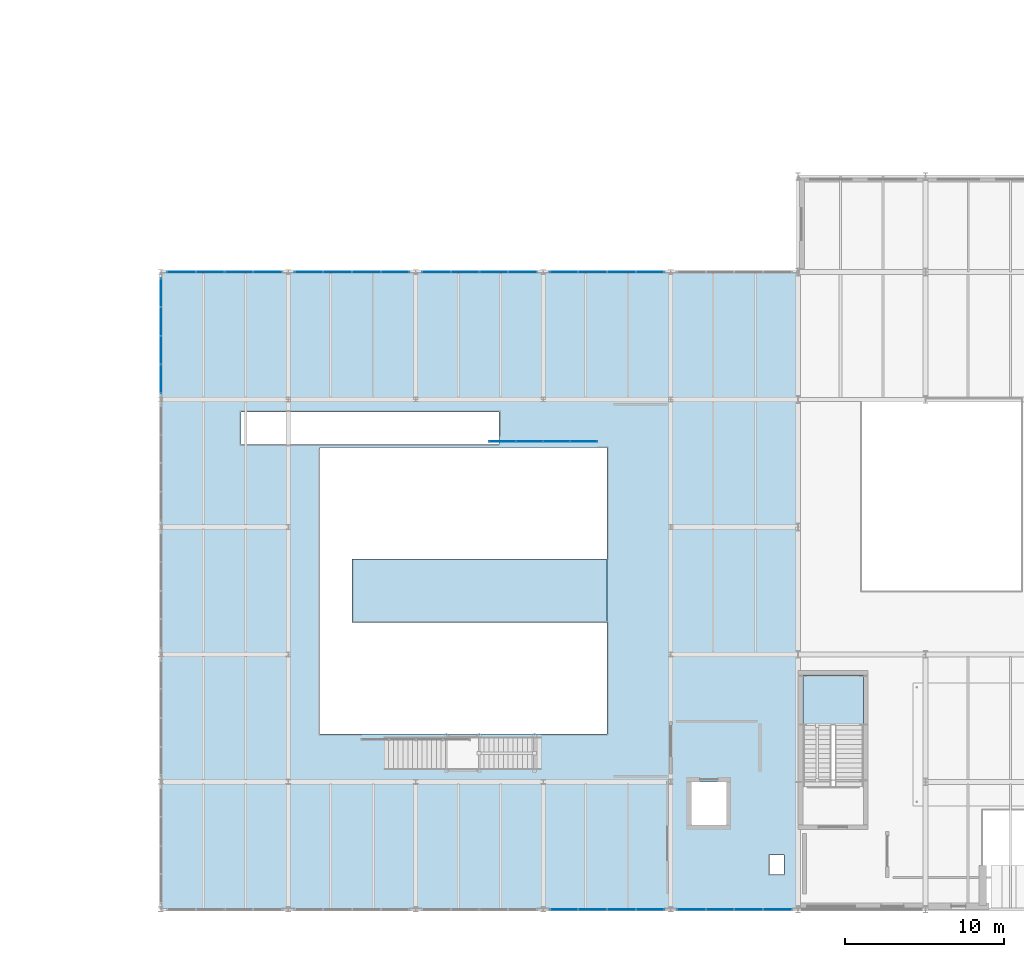
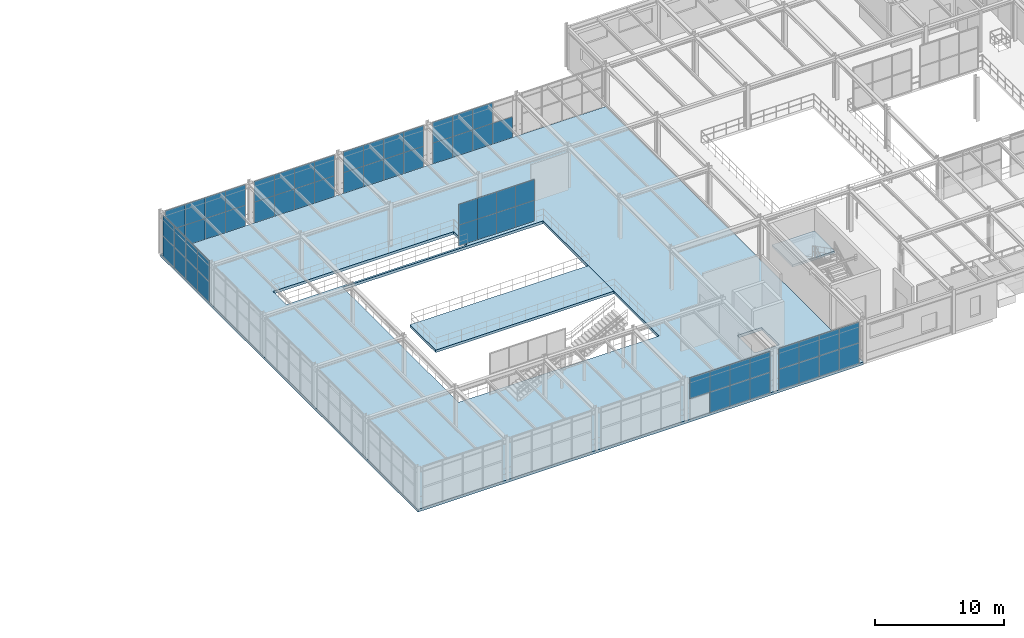
# One storey, part 70 of 124: 62 plates, 3 slabs, 9 elements without a shape of their own.
"""IFC4 building model written with IfcOpenShell, lengths in metres."""

from ifc_helpers import new_model, si_unit, direction, frame, origin, origin_2d, place, context, subcontext, project, spatial, polyline, rectangle, outline, extrude, material, layer, layer_set, type_object, element, aggregate, save


model = new_model("IFC4")

# Units and contexts
model_context = context("Model", 3, precision=1e-05, world=origin(), true_north=direction((0.0, 1.0)))
body_context = subcontext(model_context, "Body", "Model", "MODEL_VIEW")
ifc_project = project(units=[si_unit("LENGTHUNIT", "METRE"), si_unit("AREAUNIT", "SQUARE_METRE"), si_unit("VOLUMEUNIT", "CUBIC_METRE"), si_unit("PLANEANGLEUNIT", "RADIAN"), si_unit("MASSUNIT", "GRAM", prefix="KILO")], contexts=[model_context])

# Site, building, storey
site_placement = place(None, origin())
site = spatial("IfcSite", under=ifc_project, at=site_placement, CompositionType="ELEMENT")
building_placement = place(site_placement, origin())
building = spatial("IfcBuilding", under=site, at=building_placement, Name="Sundkrona Museum", CompositionType="ELEMENT")
storey_placement = place(building_placement, frame((0.0, 0.0, 17.60009765625)))
storey = spatial("IfcBuildingStorey", under=building, at=storey_placement, Name="L03", CompositionType="ELEMENT", Elevation=17.60009765625)

# Curtain wall, plates
ifc_material_1 = material(Name="Unitised Aluminium-Steel and Ceramic-Clad Curtain Walling", Category="steel")
curtain_wall_type_1 = type_object("IfcCurtainWallType", Name="CW-AT-72x38", PredefinedType="NOTDEFINED", material=ifc_material_1)
curtain_wall_1_placement = place(storey_placement, origin())
curtain_wall_1 = element("IfcCurtainWall", 1, at=curtain_wall_1_placement, inside=storey, type_object=curtain_wall_type_1, Name="L03 Curtain Wall CW-L03-063", PredefinedType="NOTDEFINED")
ifc_material_2 = material(Name="Triple Low-E Vision Glazing 32 mm", Category="glass")
ifc_layer_1 = layer(ifc_material_2, 0.031982421875)
ifc_layer_set_1 = layer_set([ifc_layer_1], Name="Triple Low-E Vision Glazing 32 mm")
plate_type_1 = type_object("IfcPlateType", Name="PN-GL-01", PredefinedType="CURTAIN_PANEL", material=ifc_layer_set_1)
plate_1_placement = place(storey_placement, frame((105.300048828125, 0.0, 1.9697265625), z_axis=(0.0, 0.0, 1.0), x_axis=(1.0, 0.0, 0.0)))
plate_1 = element("IfcPlate", 2, at=plate_1_placement, type_object=plate_type_1, Name="CW-L03-063 Panel 02", PredefinedType="CURTAIN_PANEL", context=body_context, shape_type="SweptSolid", body=[
    extrude(rectangle(XDim=1.800048828125, YDim=0.031982421875, at=origin_2d()), origin(), (0.0, 0.0, 1.0), 1.97412109375),
])
plate_2_placement = place(storey_placement, frame((107.10009765625, 0.0, -0.004150390625), z_axis=(0.0, 0.0, 1.0), x_axis=(1.0, 0.0, 0.0)))
plate_2 = element("IfcPlate", 3, at=plate_2_placement, type_object=plate_type_1, Name="CW-L03-063 Panel 03", PredefinedType="CURTAIN_PANEL", context=body_context, shape_type="SweptSolid", body=[
    extrude(rectangle(XDim=1.800048828125, YDim=0.031982421875, at=origin_2d()), origin(), (0.0, 0.0, 1.0), 1.97412109375),
])
plate_3_placement = place(storey_placement, frame((107.10009765625, 0.0, 1.9697265625), z_axis=(0.0, 0.0, 1.0), x_axis=(1.0, 0.0, 0.0)))
plate_3 = element("IfcPlate", 4, at=plate_3_placement, type_object=plate_type_1, Name="CW-L03-063 Panel 04", PredefinedType="CURTAIN_PANEL", context=body_context, shape_type="SweptSolid", body=[
    extrude(rectangle(XDim=1.800048828125, YDim=0.031982421875, at=origin_2d()), origin(), (0.0, 0.0, 1.0), 1.97412109375),
])
plate_4_placement = place(storey_placement, frame((108.89990234375, 0.0, -0.004150390625), z_axis=(0.0, 0.0, 1.0), x_axis=(1.0, 0.0, 0.0)))
plate_4 = element("IfcPlate", 5, at=plate_4_placement, type_object=plate_type_1, Name="CW-L03-063 Panel 05", PredefinedType="CURTAIN_PANEL", context=body_context, shape_type="SweptSolid", body=[
    extrude(rectangle(XDim=1.800048828125, YDim=0.031982421875, at=origin_2d()), origin(), (0.0, 0.0, 1.0), 1.97412109375),
])
plate_5_placement = place(storey_placement, frame((108.89990234375, 0.0, 1.9697265625), z_axis=(0.0, 0.0, 1.0), x_axis=(1.0, 0.0, 0.0)))
plate_5 = element("IfcPlate", 6, at=plate_5_placement, type_object=plate_type_1, Name="CW-L03-063 Panel 06", PredefinedType="CURTAIN_PANEL", context=body_context, shape_type="SweptSolid", body=[
    extrude(rectangle(XDim=1.800048828125, YDim=0.031982421875, at=origin_2d()), origin(), (0.0, 0.0, 1.0), 1.97412109375),
])
plate_6_placement = place(storey_placement, frame((110.699951171875, 0.0, -0.004150390625), z_axis=(0.0, 0.0, 1.0), x_axis=(1.0, 0.0, 0.0)))
plate_6 = element("IfcPlate", 7, at=plate_6_placement, type_object=plate_type_1, Name="CW-L03-063 Panel 07", PredefinedType="CURTAIN_PANEL", context=body_context, shape_type="SweptSolid", body=[
    extrude(rectangle(XDim=1.800048828125, YDim=0.031982421875, at=origin_2d()), origin(), (0.0, 0.0, 1.0), 1.97412109375),
])
plate_7_placement = place(storey_placement, frame((110.699951171875, 0.0, 1.9697265625), z_axis=(0.0, 0.0, 1.0), x_axis=(1.0, 0.0, 0.0)))
plate_7 = element("IfcPlate", 8, at=plate_7_placement, type_object=plate_type_1, Name="CW-L03-063 Panel 08", PredefinedType="CURTAIN_PANEL", context=body_context, shape_type="SweptSolid", body=[
    extrude(rectangle(XDim=1.800048828125, YDim=0.031982421875, at=origin_2d()), origin(), (0.0, 0.0, 1.0), 1.97412109375),
])
aggregate(curtain_wall_1, [plate_1, plate_2, plate_3, plate_4, plate_5, plate_6, plate_7])

curtain_wall_2_placement = place(storey_placement, origin())
curtain_wall_2 = element("IfcCurtainWall", 9, at=curtain_wall_2_placement, inside=storey, type_object=curtain_wall_type_1, Name="L03 Curtain Wall CW-L03-064", PredefinedType="NOTDEFINED")
plate_8_placement = place(storey_placement, frame((113.300048828125, 0.0, -0.004150390625), z_axis=(0.0, 0.0, 1.0), x_axis=(1.0, 0.0, 0.0)))
plate_8 = element("IfcPlate", 10, at=plate_8_placement, type_object=plate_type_1, Name="CW-L03-064 Panel 01", PredefinedType="CURTAIN_PANEL", context=body_context, shape_type="SweptSolid", body=[
    extrude(rectangle(XDim=1.800048828125, YDim=0.031982421875, at=origin_2d()), origin(), (0.0, 0.0, 1.0), 1.97412109375),
])
plate_9_placement = place(storey_placement, frame((113.300048828125, 0.0, 1.9697265625), z_axis=(0.0, 0.0, 1.0), x_axis=(1.0, 0.0, 0.0)))
plate_9 = element("IfcPlate", 11, at=plate_9_placement, type_object=plate_type_1, Name="CW-L03-064 Panel 02", PredefinedType="CURTAIN_PANEL", context=body_context, shape_type="SweptSolid", body=[
    extrude(rectangle(XDim=1.800048828125, YDim=0.031982421875, at=origin_2d()), origin(), (0.0, 0.0, 1.0), 1.97412109375),
])
plate_10_placement = place(storey_placement, frame((115.10009765625, 0.0, -0.004150390625), z_axis=(0.0, 0.0, 1.0), x_axis=(1.0, 0.0, 0.0)))
plate_10 = element("IfcPlate", 12, at=plate_10_placement, type_object=plate_type_1, Name="CW-L03-064 Panel 03", PredefinedType="CURTAIN_PANEL", context=body_context, shape_type="SweptSolid", body=[
    extrude(rectangle(XDim=1.800048828125, YDim=0.031982421875, at=origin_2d()), origin(), (0.0, 0.0, 1.0), 1.97412109375),
])
plate_11_placement = place(storey_placement, frame((115.10009765625, 0.0, 1.9697265625), z_axis=(0.0, 0.0, 1.0), x_axis=(1.0, 0.0, 0.0)))
plate_11 = element("IfcPlate", 13, at=plate_11_placement, type_object=plate_type_1, Name="CW-L03-064 Panel 04", PredefinedType="CURTAIN_PANEL", context=body_context, shape_type="SweptSolid", body=[
    extrude(rectangle(XDim=1.800048828125, YDim=0.031982421875, at=origin_2d()), origin(), (0.0, 0.0, 1.0), 1.97412109375),
])
plate_12_placement = place(storey_placement, frame((116.89990234375, 0.0, -0.004150390625), z_axis=(0.0, 0.0, 1.0), x_axis=(1.0, 0.0, 0.0)))
plate_12 = element("IfcPlate", 14, at=plate_12_placement, type_object=plate_type_1, Name="CW-L03-064 Panel 05", PredefinedType="CURTAIN_PANEL", context=body_context, shape_type="SweptSolid", body=[
    extrude(rectangle(XDim=1.800048828125, YDim=0.031982421875, at=origin_2d()), origin(), (0.0, 0.0, 1.0), 1.97412109375),
])
plate_13_placement = place(storey_placement, frame((116.89990234375, 0.0, 1.9697265625), z_axis=(0.0, 0.0, 1.0), x_axis=(1.0, 0.0, 0.0)))
plate_13 = element("IfcPlate", 15, at=plate_13_placement, type_object=plate_type_1, Name="CW-L03-064 Panel 06", PredefinedType="CURTAIN_PANEL", context=body_context, shape_type="SweptSolid", body=[
    extrude(rectangle(XDim=1.800048828125, YDim=0.031982421875, at=origin_2d()), origin(), (0.0, 0.0, 1.0), 1.97412109375),
])
plate_14_placement = place(storey_placement, frame((118.699951171875, 0.0, -0.004150390625), z_axis=(0.0, 0.0, 1.0), x_axis=(1.0, 0.0, 0.0)))
plate_14 = element("IfcPlate", 16, at=plate_14_placement, type_object=plate_type_1, Name="CW-L03-064 Panel 07", PredefinedType="CURTAIN_PANEL", context=body_context, shape_type="SweptSolid", body=[
    extrude(rectangle(XDim=1.800048828125, YDim=0.031982421875, at=origin_2d()), origin(), (0.0, 0.0, 1.0), 1.97412109375),
])
plate_15_placement = place(storey_placement, frame((118.699951171875, 0.0, 1.9697265625), z_axis=(0.0, 0.0, 1.0), x_axis=(1.0, 0.0, 0.0)))
plate_15 = element("IfcPlate", 17, at=plate_15_placement, type_object=plate_type_1, Name="CW-L03-064 Panel 08", PredefinedType="CURTAIN_PANEL", context=body_context, shape_type="SweptSolid", body=[
    extrude(rectangle(XDim=1.800048828125, YDim=0.031982421875, at=origin_2d()), origin(), (0.0, 0.0, 1.0), 1.97412109375),
])
aggregate(curtain_wall_2, [plate_8, plate_9, plate_10, plate_11, plate_12, plate_13, plate_14, plate_15])

curtain_wall_3_placement = place(storey_placement, origin())
curtain_wall_3 = element("IfcCurtainWall", 18, at=curtain_wall_3_placement, inside=storey, type_object=curtain_wall_type_1, Name="L03 Curtain Wall CW-L03-069", PredefinedType="NOTDEFINED")
plate_16_placement = place(storey_placement, frame((80.0, 33.300048828125, -0.004150390625), z_axis=(0.0, 0.0, 1.0), x_axis=(0.0, 1.0, 0.0)))
plate_16 = element("IfcPlate", 19, at=plate_16_placement, type_object=plate_type_1, Name="CW-L03-069 Panel 01", PredefinedType="CURTAIN_PANEL", context=body_context, shape_type="SweptSolid", body=[
    extrude(rectangle(XDim=1.800048828125, YDim=0.031982421875, at=origin_2d()), origin(), (0.0, 0.0, 1.0), 1.97412109375),
])
plate_17_placement = place(storey_placement, frame((80.0, 33.300048828125, 1.9697265625), z_axis=(0.0, 0.0, 1.0), x_axis=(0.0, 1.0, 0.0)))
plate_17 = element("IfcPlate", 20, at=plate_17_placement, type_object=plate_type_1, Name="CW-L03-069 Panel 02", PredefinedType="CURTAIN_PANEL", context=body_context, shape_type="SweptSolid", body=[
    extrude(rectangle(XDim=1.800048828125, YDim=0.031982421875, at=origin_2d()), origin(), (0.0, 0.0, 1.0), 1.97412109375),
])
plate_18_placement = place(storey_placement, frame((80.0, 35.10009765625, -0.004150390625), z_axis=(0.0, 0.0, 1.0), x_axis=(0.0, 1.0, 0.0)))
plate_18 = element("IfcPlate", 21, at=plate_18_placement, type_object=plate_type_1, Name="CW-L03-069 Panel 03", PredefinedType="CURTAIN_PANEL", context=body_context, shape_type="SweptSolid", body=[
    extrude(rectangle(XDim=1.800048828125, YDim=0.031982421875, at=origin_2d()), origin(), (0.0, 0.0, 1.0), 1.97412109375),
])
plate_19_placement = place(storey_placement, frame((80.0, 35.10009765625, 1.9697265625), z_axis=(0.0, 0.0, 1.0), x_axis=(0.0, 1.0, 0.0)))
plate_19 = element("IfcPlate", 22, at=plate_19_placement, type_object=plate_type_1, Name="CW-L03-069 Panel 04", PredefinedType="CURTAIN_PANEL", context=body_context, shape_type="SweptSolid", body=[
    extrude(rectangle(XDim=1.800048828125, YDim=0.031982421875, at=origin_2d()), origin(), (0.0, 0.0, 1.0), 1.97412109375),
])
plate_20_placement = place(storey_placement, frame((80.0, 36.89990234375, -0.004150390625), z_axis=(0.0, 0.0, 1.0), x_axis=(0.0, 1.0, 0.0)))
plate_20 = element("IfcPlate", 23, at=plate_20_placement, type_object=plate_type_1, Name="CW-L03-069 Panel 05", PredefinedType="CURTAIN_PANEL", context=body_context, shape_type="SweptSolid", body=[
    extrude(rectangle(XDim=1.800048828125, YDim=0.031982421875, at=origin_2d()), origin(), (0.0, 0.0, 1.0), 1.97412109375),
])
plate_21_placement = place(storey_placement, frame((80.0, 36.89990234375, 1.9697265625), z_axis=(0.0, 0.0, 1.0), x_axis=(0.0, 1.0, 0.0)))
plate_21 = element("IfcPlate", 24, at=plate_21_placement, type_object=plate_type_1, Name="CW-L03-069 Panel 06", PredefinedType="CURTAIN_PANEL", context=body_context, shape_type="SweptSolid", body=[
    extrude(rectangle(XDim=1.800048828125, YDim=0.031982421875, at=origin_2d()), origin(), (0.0, 0.0, 1.0), 1.97412109375),
])
plate_22_placement = place(storey_placement, frame((80.0, 38.699951171875, -0.004150390625), z_axis=(0.0, 0.0, 1.0), x_axis=(0.0, 1.0, 0.0)))
plate_22 = element("IfcPlate", 25, at=plate_22_placement, type_object=plate_type_1, Name="CW-L03-069 Panel 07", PredefinedType="CURTAIN_PANEL", context=body_context, shape_type="SweptSolid", body=[
    extrude(rectangle(XDim=1.800048828125, YDim=0.031982421875, at=origin_2d()), origin(), (0.0, 0.0, 1.0), 1.97412109375),
])
plate_23_placement = place(storey_placement, frame((80.0, 38.699951171875, 1.9697265625), z_axis=(0.0, 0.0, 1.0), x_axis=(0.0, 1.0, 0.0)))
plate_23 = element("IfcPlate", 26, at=plate_23_placement, type_object=plate_type_1, Name="CW-L03-069 Panel 08", PredefinedType="CURTAIN_PANEL", context=body_context, shape_type="SweptSolid", body=[
    extrude(rectangle(XDim=1.800048828125, YDim=0.031982421875, at=origin_2d()), origin(), (0.0, 0.0, 1.0), 1.97412109375),
])
aggregate(curtain_wall_3, [plate_16, plate_17, plate_18, plate_19, plate_20, plate_21, plate_22, plate_23])

curtain_wall_4_placement = place(storey_placement, origin())
curtain_wall_4 = element("IfcCurtainWall", 27, at=curtain_wall_4_placement, inside=storey, type_object=curtain_wall_type_1, Name="L03 Curtain Wall CW-L03-070", PredefinedType="NOTDEFINED")
plate_24_placement = place(storey_placement, frame((81.300048828125, 40.0, -0.004150390625), z_axis=(0.0, 0.0, 1.0), x_axis=(1.0, 0.0, 0.0)))
plate_24 = element("IfcPlate", 28, at=plate_24_placement, type_object=plate_type_1, Name="CW-L03-070 Panel 01", PredefinedType="CURTAIN_PANEL", context=body_context, shape_type="SweptSolid", body=[
    extrude(rectangle(XDim=1.800048828125, YDim=0.031982421875, at=origin_2d()), origin(), (0.0, 0.0, 1.0), 1.97412109375),
])
plate_25_placement = place(storey_placement, frame((81.300048828125, 40.0, 1.9697265625), z_axis=(0.0, 0.0, 1.0), x_axis=(1.0, 0.0, 0.0)))
plate_25 = element("IfcPlate", 29, at=plate_25_placement, type_object=plate_type_1, Name="CW-L03-070 Panel 02", PredefinedType="CURTAIN_PANEL", context=body_context, shape_type="SweptSolid", body=[
    extrude(rectangle(XDim=1.800048828125, YDim=0.031982421875, at=origin_2d()), origin(), (0.0, 0.0, 1.0), 1.97412109375),
])
plate_26_placement = place(storey_placement, frame((83.10009765625, 40.0, -0.004150390625), z_axis=(0.0, 0.0, 1.0), x_axis=(1.0, 0.0, 0.0)))
plate_26 = element("IfcPlate", 30, at=plate_26_placement, type_object=plate_type_1, Name="CW-L03-070 Panel 03", PredefinedType="CURTAIN_PANEL", context=body_context, shape_type="SweptSolid", body=[
    extrude(rectangle(XDim=1.800048828125, YDim=0.031982421875, at=origin_2d()), origin(), (0.0, 0.0, 1.0), 1.97412109375),
])
plate_27_placement = place(storey_placement, frame((83.10009765625, 40.0, 1.9697265625), z_axis=(0.0, 0.0, 1.0), x_axis=(1.0, 0.0, 0.0)))
plate_27 = element("IfcPlate", 31, at=plate_27_placement, type_object=plate_type_1, Name="CW-L03-070 Panel 04", PredefinedType="CURTAIN_PANEL", context=body_context, shape_type="SweptSolid", body=[
    extrude(rectangle(XDim=1.800048828125, YDim=0.031982421875, at=origin_2d()), origin(), (0.0, 0.0, 1.0), 1.97412109375),
])
plate_28_placement = place(storey_placement, frame((84.89990234375, 40.0, -0.004150390625), z_axis=(0.0, 0.0, 1.0), x_axis=(1.0, 0.0, 0.0)))
plate_28 = element("IfcPlate", 32, at=plate_28_placement, type_object=plate_type_1, Name="CW-L03-070 Panel 05", PredefinedType="CURTAIN_PANEL", context=body_context, shape_type="SweptSolid", body=[
    extrude(rectangle(XDim=1.800048828125, YDim=0.031982421875, at=origin_2d()), origin(), (0.0, 0.0, 1.0), 1.97412109375),
])
plate_29_placement = place(storey_placement, frame((84.89990234375, 40.0, 1.9697265625), z_axis=(0.0, 0.0, 1.0), x_axis=(1.0, 0.0, 0.0)))
plate_29 = element("IfcPlate", 33, at=plate_29_placement, type_object=plate_type_1, Name="CW-L03-070 Panel 06", PredefinedType="CURTAIN_PANEL", context=body_context, shape_type="SweptSolid", body=[
    extrude(rectangle(XDim=1.800048828125, YDim=0.031982421875, at=origin_2d()), origin(), (0.0, 0.0, 1.0), 1.97412109375),
])
plate_30_placement = place(storey_placement, frame((86.699951171875, 40.0, -0.004150390625), z_axis=(0.0, 0.0, 1.0), x_axis=(1.0, 0.0, 0.0)))
plate_30 = element("IfcPlate", 34, at=plate_30_placement, type_object=plate_type_1, Name="CW-L03-070 Panel 07", PredefinedType="CURTAIN_PANEL", context=body_context, shape_type="SweptSolid", body=[
    extrude(rectangle(XDim=1.800048828125, YDim=0.031982421875, at=origin_2d()), origin(), (0.0, 0.0, 1.0), 1.97412109375),
])
plate_31_placement = place(storey_placement, frame((86.699951171875, 40.0, 1.9697265625), z_axis=(0.0, 0.0, 1.0), x_axis=(1.0, 0.0, 0.0)))
plate_31 = element("IfcPlate", 35, at=plate_31_placement, type_object=plate_type_1, Name="CW-L03-070 Panel 08", PredefinedType="CURTAIN_PANEL", context=body_context, shape_type="SweptSolid", body=[
    extrude(rectangle(XDim=1.800048828125, YDim=0.031982421875, at=origin_2d()), origin(), (0.0, 0.0, 1.0), 1.97412109375),
])
aggregate(curtain_wall_4, [plate_24, plate_25, plate_26, plate_27, plate_28, plate_29, plate_30, plate_31])

curtain_wall_5_placement = place(storey_placement, origin())
curtain_wall_5 = element("IfcCurtainWall", 36, at=curtain_wall_5_placement, inside=storey, type_object=curtain_wall_type_1, Name="L03 Curtain Wall CW-L03-071", PredefinedType="NOTDEFINED")
plate_32_placement = place(storey_placement, frame((89.300048828125, 40.0, -0.004150390625), z_axis=(0.0, 0.0, 1.0), x_axis=(1.0, 0.0, 0.0)))
plate_32 = element("IfcPlate", 37, at=plate_32_placement, type_object=plate_type_1, Name="CW-L03-071 Panel 01", PredefinedType="CURTAIN_PANEL", context=body_context, shape_type="SweptSolid", body=[
    extrude(rectangle(XDim=1.800048828125, YDim=0.031982421875, at=origin_2d()), origin(), (0.0, 0.0, 1.0), 1.97412109375),
])
plate_33_placement = place(storey_placement, frame((89.300048828125, 40.0, 1.9697265625), z_axis=(0.0, 0.0, 1.0), x_axis=(1.0, 0.0, 0.0)))
plate_33 = element("IfcPlate", 38, at=plate_33_placement, type_object=plate_type_1, Name="CW-L03-071 Panel 02", PredefinedType="CURTAIN_PANEL", context=body_context, shape_type="SweptSolid", body=[
    extrude(rectangle(XDim=1.800048828125, YDim=0.031982421875, at=origin_2d()), origin(), (0.0, 0.0, 1.0), 1.97412109375),
])
plate_34_placement = place(storey_placement, frame((91.10009765625, 40.0, -0.004150390625), z_axis=(0.0, 0.0, 1.0), x_axis=(1.0, 0.0, 0.0)))
plate_34 = element("IfcPlate", 39, at=plate_34_placement, type_object=plate_type_1, Name="CW-L03-071 Panel 03", PredefinedType="CURTAIN_PANEL", context=body_context, shape_type="SweptSolid", body=[
    extrude(rectangle(XDim=1.800048828125, YDim=0.031982421875, at=origin_2d()), origin(), (0.0, 0.0, 1.0), 1.97412109375),
])
plate_35_placement = place(storey_placement, frame((91.10009765625, 40.0, 1.9697265625), z_axis=(0.0, 0.0, 1.0), x_axis=(1.0, 0.0, 0.0)))
plate_35 = element("IfcPlate", 40, at=plate_35_placement, type_object=plate_type_1, Name="CW-L03-071 Panel 04", PredefinedType="CURTAIN_PANEL", context=body_context, shape_type="SweptSolid", body=[
    extrude(rectangle(XDim=1.800048828125, YDim=0.031982421875, at=origin_2d()), origin(), (0.0, 0.0, 1.0), 1.97412109375),
])
plate_36_placement = place(storey_placement, frame((92.89990234375, 40.0, -0.004150390625), z_axis=(0.0, 0.0, 1.0), x_axis=(1.0, 0.0, 0.0)))
plate_36 = element("IfcPlate", 41, at=plate_36_placement, type_object=plate_type_1, Name="CW-L03-071 Panel 05", PredefinedType="CURTAIN_PANEL", context=body_context, shape_type="SweptSolid", body=[
    extrude(rectangle(XDim=1.800048828125, YDim=0.031982421875, at=origin_2d()), origin(), (0.0, 0.0, 1.0), 1.97412109375),
])
plate_37_placement = place(storey_placement, frame((92.89990234375, 40.0, 1.9697265625), z_axis=(0.0, 0.0, 1.0), x_axis=(1.0, 0.0, 0.0)))
plate_37 = element("IfcPlate", 42, at=plate_37_placement, type_object=plate_type_1, Name="CW-L03-071 Panel 06", PredefinedType="CURTAIN_PANEL", context=body_context, shape_type="SweptSolid", body=[
    extrude(rectangle(XDim=1.800048828125, YDim=0.031982421875, at=origin_2d()), origin(), (0.0, 0.0, 1.0), 1.97412109375),
])
plate_38_placement = place(storey_placement, frame((94.699951171875, 40.0, -0.004150390625), z_axis=(0.0, 0.0, 1.0), x_axis=(1.0, 0.0, 0.0)))
plate_38 = element("IfcPlate", 43, at=plate_38_placement, type_object=plate_type_1, Name="CW-L03-071 Panel 07", PredefinedType="CURTAIN_PANEL", context=body_context, shape_type="SweptSolid", body=[
    extrude(rectangle(XDim=1.800048828125, YDim=0.031982421875, at=origin_2d()), origin(), (0.0, 0.0, 1.0), 1.97412109375),
])
plate_39_placement = place(storey_placement, frame((94.699951171875, 40.0, 1.9697265625), z_axis=(0.0, 0.0, 1.0), x_axis=(1.0, 0.0, 0.0)))
plate_39 = element("IfcPlate", 44, at=plate_39_placement, type_object=plate_type_1, Name="CW-L03-071 Panel 08", PredefinedType="CURTAIN_PANEL", context=body_context, shape_type="SweptSolid", body=[
    extrude(rectangle(XDim=1.800048828125, YDim=0.031982421875, at=origin_2d()), origin(), (0.0, 0.0, 1.0), 1.97412109375),
])
aggregate(curtain_wall_5, [plate_32, plate_33, plate_34, plate_35, plate_36, plate_37, plate_38, plate_39])

curtain_wall_6_placement = place(storey_placement, origin())
curtain_wall_6 = element("IfcCurtainWall", 45, at=curtain_wall_6_placement, inside=storey, type_object=curtain_wall_type_1, Name="L03 Curtain Wall CW-L03-072", PredefinedType="NOTDEFINED")
plate_40_placement = place(storey_placement, frame((97.300048828125, 40.0, -0.004150390625), z_axis=(0.0, 0.0, 1.0), x_axis=(1.0, 0.0, 0.0)))
plate_40 = element("IfcPlate", 46, at=plate_40_placement, type_object=plate_type_1, Name="CW-L03-072 Panel 01", PredefinedType="CURTAIN_PANEL", context=body_context, shape_type="SweptSolid", body=[
    extrude(rectangle(XDim=1.800048828125, YDim=0.031982421875, at=origin_2d()), origin(), (0.0, 0.0, 1.0), 1.97412109375),
])
plate_41_placement = place(storey_placement, frame((97.300048828125, 40.0, 1.9697265625), z_axis=(0.0, 0.0, 1.0), x_axis=(1.0, 0.0, 0.0)))
plate_41 = element("IfcPlate", 47, at=plate_41_placement, type_object=plate_type_1, Name="CW-L03-072 Panel 02", PredefinedType="CURTAIN_PANEL", context=body_context, shape_type="SweptSolid", body=[
    extrude(rectangle(XDim=1.800048828125, YDim=0.031982421875, at=origin_2d()), origin(), (0.0, 0.0, 1.0), 1.97412109375),
])
plate_42_placement = place(storey_placement, frame((99.10009765625, 40.0, -0.004150390625), z_axis=(0.0, 0.0, 1.0), x_axis=(1.0, 0.0, 0.0)))
plate_42 = element("IfcPlate", 48, at=plate_42_placement, type_object=plate_type_1, Name="CW-L03-072 Panel 03", PredefinedType="CURTAIN_PANEL", context=body_context, shape_type="SweptSolid", body=[
    extrude(rectangle(XDim=1.800048828125, YDim=0.031982421875, at=origin_2d()), origin(), (0.0, 0.0, 1.0), 1.97412109375),
])
plate_43_placement = place(storey_placement, frame((99.10009765625, 40.0, 1.9697265625), z_axis=(0.0, 0.0, 1.0), x_axis=(1.0, 0.0, 0.0)))
plate_43 = element("IfcPlate", 49, at=plate_43_placement, type_object=plate_type_1, Name="CW-L03-072 Panel 04", PredefinedType="CURTAIN_PANEL", context=body_context, shape_type="SweptSolid", body=[
    extrude(rectangle(XDim=1.800048828125, YDim=0.031982421875, at=origin_2d()), origin(), (0.0, 0.0, 1.0), 1.97412109375),
])
plate_44_placement = place(storey_placement, frame((100.89990234375, 40.0, -0.004150390625), z_axis=(0.0, 0.0, 1.0), x_axis=(1.0, 0.0, 0.0)))
plate_44 = element("IfcPlate", 50, at=plate_44_placement, type_object=plate_type_1, Name="CW-L03-072 Panel 05", PredefinedType="CURTAIN_PANEL", context=body_context, shape_type="SweptSolid", body=[
    extrude(rectangle(XDim=1.800048828125, YDim=0.031982421875, at=origin_2d()), origin(), (0.0, 0.0, 1.0), 1.97412109375),
])
plate_45_placement = place(storey_placement, frame((100.89990234375, 40.0, 1.9697265625), z_axis=(0.0, 0.0, 1.0), x_axis=(1.0, 0.0, 0.0)))
plate_45 = element("IfcPlate", 51, at=plate_45_placement, type_object=plate_type_1, Name="CW-L03-072 Panel 06", PredefinedType="CURTAIN_PANEL", context=body_context, shape_type="SweptSolid", body=[
    extrude(rectangle(XDim=1.800048828125, YDim=0.031982421875, at=origin_2d()), origin(), (0.0, 0.0, 1.0), 1.97412109375),
])
plate_46_placement = place(storey_placement, frame((102.699951171875, 40.0, -0.004150390625), z_axis=(0.0, 0.0, 1.0), x_axis=(1.0, 0.0, 0.0)))
plate_46 = element("IfcPlate", 52, at=plate_46_placement, type_object=plate_type_1, Name="CW-L03-072 Panel 07", PredefinedType="CURTAIN_PANEL", context=body_context, shape_type="SweptSolid", body=[
    extrude(rectangle(XDim=1.800048828125, YDim=0.031982421875, at=origin_2d()), origin(), (0.0, 0.0, 1.0), 1.97412109375),
])
plate_47_placement = place(storey_placement, frame((102.699951171875, 40.0, 1.9697265625), z_axis=(0.0, 0.0, 1.0), x_axis=(1.0, 0.0, 0.0)))
plate_47 = element("IfcPlate", 53, at=plate_47_placement, type_object=plate_type_1, Name="CW-L03-072 Panel 08", PredefinedType="CURTAIN_PANEL", context=body_context, shape_type="SweptSolid", body=[
    extrude(rectangle(XDim=1.800048828125, YDim=0.031982421875, at=origin_2d()), origin(), (0.0, 0.0, 1.0), 1.97412109375),
])
aggregate(curtain_wall_6, [plate_40, plate_41, plate_42, plate_43, plate_44, plate_45, plate_46, plate_47])

curtain_wall_7_placement = place(storey_placement, origin())
curtain_wall_7 = element("IfcCurtainWall", 54, at=curtain_wall_7_placement, inside=storey, type_object=curtain_wall_type_1, Name="L03 Curtain Wall CW-L03-073", PredefinedType="NOTDEFINED")
plate_48_placement = place(storey_placement, frame((105.300048828125, 40.0, -0.004150390625), z_axis=(0.0, 0.0, 1.0), x_axis=(1.0, 0.0, 0.0)))
plate_48 = element("IfcPlate", 55, at=plate_48_placement, type_object=plate_type_1, Name="CW-L03-073 Panel 01", PredefinedType="CURTAIN_PANEL", context=body_context, shape_type="SweptSolid", body=[
    extrude(rectangle(XDim=1.800048828125, YDim=0.031982421875, at=origin_2d()), origin(), (0.0, 0.0, 1.0), 1.97412109375),
])
plate_49_placement = place(storey_placement, frame((105.300048828125, 40.0, 1.9697265625), z_axis=(0.0, 0.0, 1.0), x_axis=(1.0, 0.0, 0.0)))
plate_49 = element("IfcPlate", 56, at=plate_49_placement, type_object=plate_type_1, Name="CW-L03-073 Panel 02", PredefinedType="CURTAIN_PANEL", context=body_context, shape_type="SweptSolid", body=[
    extrude(rectangle(XDim=1.800048828125, YDim=0.031982421875, at=origin_2d()), origin(), (0.0, 0.0, 1.0), 1.97412109375),
])
plate_50_placement = place(storey_placement, frame((107.10009765625, 40.0, -0.004150390625), z_axis=(0.0, 0.0, 1.0), x_axis=(1.0, 0.0, 0.0)))
plate_50 = element("IfcPlate", 57, at=plate_50_placement, type_object=plate_type_1, Name="CW-L03-073 Panel 03", PredefinedType="CURTAIN_PANEL", context=body_context, shape_type="SweptSolid", body=[
    extrude(rectangle(XDim=1.800048828125, YDim=0.031982421875, at=origin_2d()), origin(), (0.0, 0.0, 1.0), 1.97412109375),
])
plate_51_placement = place(storey_placement, frame((107.10009765625, 40.0, 1.9697265625), z_axis=(0.0, 0.0, 1.0), x_axis=(1.0, 0.0, 0.0)))
plate_51 = element("IfcPlate", 58, at=plate_51_placement, type_object=plate_type_1, Name="CW-L03-073 Panel 04", PredefinedType="CURTAIN_PANEL", context=body_context, shape_type="SweptSolid", body=[
    extrude(rectangle(XDim=1.800048828125, YDim=0.031982421875, at=origin_2d()), origin(), (0.0, 0.0, 1.0), 1.97412109375),
])
plate_52_placement = place(storey_placement, frame((108.89990234375, 40.0, -0.004150390625), z_axis=(0.0, 0.0, 1.0), x_axis=(1.0, 0.0, 0.0)))
plate_52 = element("IfcPlate", 59, at=plate_52_placement, type_object=plate_type_1, Name="CW-L03-073 Panel 05", PredefinedType="CURTAIN_PANEL", context=body_context, shape_type="SweptSolid", body=[
    extrude(rectangle(XDim=1.800048828125, YDim=0.031982421875, at=origin_2d()), origin(), (0.0, 0.0, 1.0), 1.97412109375),
])
plate_53_placement = place(storey_placement, frame((108.89990234375, 40.0, 1.9697265625), z_axis=(0.0, 0.0, 1.0), x_axis=(1.0, 0.0, 0.0)))
plate_53 = element("IfcPlate", 60, at=plate_53_placement, type_object=plate_type_1, Name="CW-L03-073 Panel 06", PredefinedType="CURTAIN_PANEL", context=body_context, shape_type="SweptSolid", body=[
    extrude(rectangle(XDim=1.800048828125, YDim=0.031982421875, at=origin_2d()), origin(), (0.0, 0.0, 1.0), 1.97412109375),
])
plate_54_placement = place(storey_placement, frame((110.699951171875, 40.0, -0.004150390625), z_axis=(0.0, 0.0, 1.0), x_axis=(1.0, 0.0, 0.0)))
plate_54 = element("IfcPlate", 61, at=plate_54_placement, type_object=plate_type_1, Name="CW-L03-073 Panel 07", PredefinedType="CURTAIN_PANEL", context=body_context, shape_type="SweptSolid", body=[
    extrude(rectangle(XDim=1.800048828125, YDim=0.031982421875, at=origin_2d()), origin(), (0.0, 0.0, 1.0), 1.97412109375),
])
aggregate(curtain_wall_7, [plate_48, plate_49, plate_50, plate_51, plate_52, plate_53, plate_54])

curtain_wall_type_2 = type_object("IfcCurtainWallType", Name="CW-IN-68x36", PredefinedType="NOTDEFINED", material=ifc_material_1)
curtain_wall_8_placement = place(storey_placement, origin())
curtain_wall_8 = element("IfcCurtainWall", 62, at=curtain_wall_8_placement, inside=storey, type_object=curtain_wall_type_2, Name="L03 Curtain Wall CW-L03-076", PredefinedType="NOTDEFINED")
ifc_material_3 = material(Name="Tempered Laminated Fire Glass 32 mm", Category="glass")
ifc_layer_2 = layer(ifc_material_3, 0.031982421875)
ifc_layer_set_2 = layer_set([ifc_layer_2], Name="Tempered Laminated Fire Glass 32 mm")
plate_type_2 = type_object("IfcPlateType", Name="PN-IN-01", PredefinedType="CURTAIN_PANEL", material=ifc_layer_set_2)
plate_55_placement = place(storey_placement, frame((101.449951171875, 29.35009765625, -0.004150390625), z_axis=(0.0, 0.0, 1.0), x_axis=(1.0, 0.0, 0.0)))
plate_55 = element("IfcPlate", 63, at=plate_55_placement, type_object=plate_type_2, Name="CW-L03-076 Panel 01", PredefinedType="CURTAIN_PANEL", context=body_context, shape_type="SweptSolid", body=[
    extrude(rectangle(XDim=1.699951171875, YDim=0.031982421875, at=origin_2d()), origin(), (0.0, 0.0, 1.0), 1.97412109375),
])
plate_56_placement = place(storey_placement, frame((101.449951171875, 29.35009765625, 1.9697265625), z_axis=(0.0, 0.0, 1.0), x_axis=(1.0, 0.0, 0.0)))
plate_56 = element("IfcPlate", 64, at=plate_56_placement, type_object=plate_type_2, Name="CW-L03-076 Panel 02", PredefinedType="CURTAIN_PANEL", context=body_context, shape_type="SweptSolid", body=[
    extrude(rectangle(XDim=1.699951171875, YDim=0.031982421875, at=origin_2d()), origin(), (0.0, 0.0, 1.0), 1.97412109375),
])
plate_57_placement = place(storey_placement, frame((103.14990234375, 29.35009765625, -0.004150390625), z_axis=(0.0, 0.0, 1.0), x_axis=(1.0, 0.0, 0.0)))
plate_57 = element("IfcPlate", 65, at=plate_57_placement, type_object=plate_type_2, Name="CW-L03-076 Panel 03", PredefinedType="CURTAIN_PANEL", context=body_context, shape_type="SweptSolid", body=[
    extrude(rectangle(XDim=1.699951171875, YDim=0.031982421875, at=origin_2d()), origin(), (0.0, 0.0, 1.0), 1.97412109375),
])
plate_58_placement = place(storey_placement, frame((103.14990234375, 29.35009765625, 1.9697265625), z_axis=(0.0, 0.0, 1.0), x_axis=(1.0, 0.0, 0.0)))
plate_58 = element("IfcPlate", 66, at=plate_58_placement, type_object=plate_type_2, Name="CW-L03-076 Panel 04", PredefinedType="CURTAIN_PANEL", context=body_context, shape_type="SweptSolid", body=[
    extrude(rectangle(XDim=1.699951171875, YDim=0.031982421875, at=origin_2d()), origin(), (0.0, 0.0, 1.0), 1.97412109375),
])
plate_59_placement = place(storey_placement, frame((104.85009765625, 29.35009765625, -0.004150390625), z_axis=(0.0, 0.0, 1.0), x_axis=(1.0, 0.0, 0.0)))
plate_59 = element("IfcPlate", 67, at=plate_59_placement, type_object=plate_type_2, Name="CW-L03-076 Panel 05", PredefinedType="CURTAIN_PANEL", context=body_context, shape_type="SweptSolid", body=[
    extrude(rectangle(XDim=1.699951171875, YDim=0.031982421875, at=origin_2d()), origin(), (0.0, 0.0, 1.0), 1.97412109375),
])
plate_60_placement = place(storey_placement, frame((104.85009765625, 29.35009765625, 1.9697265625), z_axis=(0.0, 0.0, 1.0), x_axis=(1.0, 0.0, 0.0)))
plate_60 = element("IfcPlate", 68, at=plate_60_placement, type_object=plate_type_2, Name="CW-L03-076 Panel 06", PredefinedType="CURTAIN_PANEL", context=body_context, shape_type="SweptSolid", body=[
    extrude(rectangle(XDim=1.699951171875, YDim=0.031982421875, at=origin_2d()), origin(), (0.0, 0.0, 1.0), 1.97412109375),
])
plate_61_placement = place(storey_placement, frame((106.550048828125, 29.35009765625, -0.004150390625), z_axis=(0.0, 0.0, 1.0), x_axis=(1.0, 0.0, 0.0)))
plate_61 = element("IfcPlate", 69, at=plate_61_placement, type_object=plate_type_2, Name="CW-L03-076 Panel 07", PredefinedType="CURTAIN_PANEL", context=body_context, shape_type="SweptSolid", body=[
    extrude(rectangle(XDim=1.699951171875, YDim=0.031982421875, at=origin_2d()), origin(), (0.0, 0.0, 1.0), 1.97412109375),
])
plate_62_placement = place(storey_placement, frame((106.550048828125, 29.35009765625, 1.9697265625), z_axis=(0.0, 0.0, 1.0), x_axis=(1.0, 0.0, 0.0)))
plate_62 = element("IfcPlate", 70, at=plate_62_placement, type_object=plate_type_2, Name="CW-L03-076 Panel 08", PredefinedType="CURTAIN_PANEL", context=body_context, shape_type="SweptSolid", body=[
    extrude(rectangle(XDim=1.699951171875, YDim=0.031982421875, at=origin_2d()), origin(), (0.0, 0.0, 1.0), 1.97412109375),
])
aggregate(curtain_wall_8, [plate_55, plate_56, plate_57, plate_58, plate_59, plate_60, plate_61, plate_62])

# Slabs
ifc_material_4 = material(Name="Concrete C35/45", Category="concrete")
ifc_layer_3 = layer(ifc_material_4, 0.239990234375)
ifc_layer_set_3 = layer_set([ifc_layer_3], Name="Concrete C35/45")
slab_type_1 = type_object("IfcSlabType", Name="SL-FL-240", PredefinedType="FLOOR", material=ifc_layer_set_3)
slab_1_placement = place(storey_placement, frame((0.0, 0.0, -0.239990234375)))
element("IfcSlab", 71, at=slab_1_placement, inside=storey, type_object=slab_type_1, Name="L03 Standard composite gallery floor slab 240 mm (SL-L03-BRG)", PredefinedType="FLOOR", context=body_context, shape_type="SweptSolid", body=[
    extrude(outline(polyline([(92.0, 18.0), (108.0, 18.0), (108.0, 22.0), (92.0, 22.0), (92.0, 18.0)])), origin(), (0.0, 0.0, 1.0), 0.239990234375),
])
ifc_layer_4 = layer(ifc_material_4, 0.260009765625)
ifc_layer_set_4 = layer_set([ifc_layer_4], Name="Concrete C35/45")
slab_type_2 = type_object("IfcSlabType", Name="SL-FL-260", PredefinedType="FLOOR", material=ifc_layer_set_4)
slab_2_placement = place(storey_placement, frame((0.0, 0.0, -0.260009765625)))
element("IfcSlab", 72, at=slab_2_placement, inside=storey, type_object=slab_type_2, Name="L03 Atrium and education composite floor slab 260 mm (SL-L03-V2A)", PredefinedType="FLOOR", context=body_context, shape_type="SweptSolid", body=[
    extrude(outline(polyline([(80.0, 0.0), (120.0, 0.0), (120.0, 40.0), (80.0, 40.0), (80.0, 0.0)]), holes=[polyline([(119.10009765625, 2.199951171875), (118.199951171875, 2.199951171875), (118.199951171875, 3.39990234375), (119.10009765625, 3.39990234375), (119.10009765625, 2.199951171875)]), polyline([(115.5, 5.300048828125), (113.300048828125, 5.300048828125), (113.300048828125, 8.0), (115.5, 8.0), (115.5, 5.300048828125)]), polyline([(108.0, 11.0), (90.0, 11.0), (90.0, 29.0), (108.0, 29.0), (108.0, 11.0)]), polyline([(101.239990234375, 29.179931640625), (85.02001953125, 29.179931640625), (85.02001953125, 31.219970703125), (101.239990234375, 31.219970703125), (101.239990234375, 29.179931640625)])]), origin(), (0.0, 0.0, 1.0), 0.260009765625),
])

# Stair, slab
stair_type = type_object("IfcStairType", Name="ST-DL-420", PredefinedType="HALF_TURN_STAIR", material=ifc_material_4)
stair_placement = place(storey_placement, origin())
stair = element("IfcStair", 73, at=stair_placement, inside=storey, type_object=stair_type, Name="L03 Protected Stair Core ST-2", PredefinedType="HALF_TURN_STAIR")
ifc_layer_5 = layer(ifc_material_4, 0.219970703125)
ifc_layer_set_5 = layer_set([ifc_layer_5], Name="Concrete C35/45")
slab_type_3 = type_object("IfcSlabType", Name="SL-LN-220", PredefinedType="LANDING", material=ifc_layer_set_5)
slab_3_placement = place(storey_placement, frame((0.0, 0.0, 1.8798828125)))
slab_3 = element("IfcSlab", 74, at=slab_3_placement, type_object=slab_type_3, Name="L03 Protected Stair Core ST-2 Landing 1", PredefinedType="LANDING", context=body_context, shape_type="SweptSolid", body=[
    extrude(outline(polyline([(124.10009765625, 11.534912109375), (124.10009765625, 14.699951171875), (120.300048828125, 14.699951171875), (120.300048828125, 11.534912109375), (124.10009765625, 11.534912109375)])), origin(), (0.0, 0.0, 1.0), 0.219970703125),
])
aggregate(stair, [slab_3])

save(model, "model.ifc")
